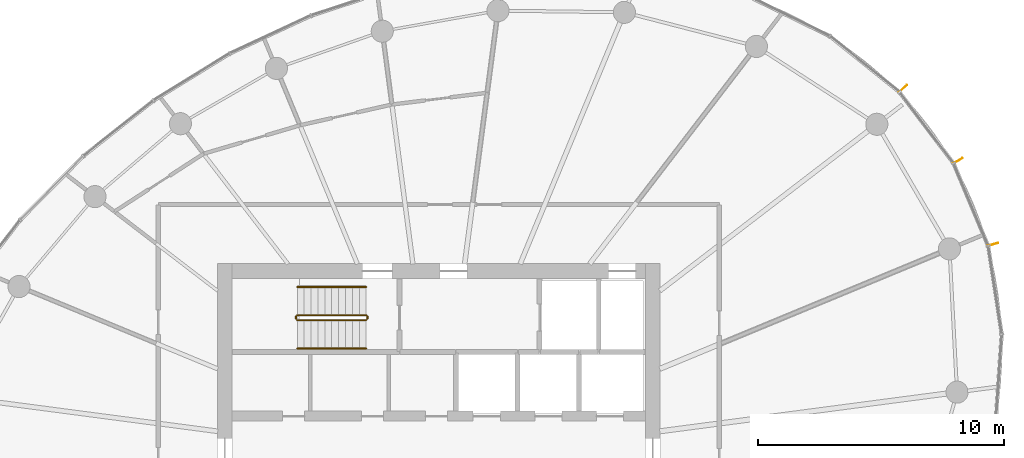
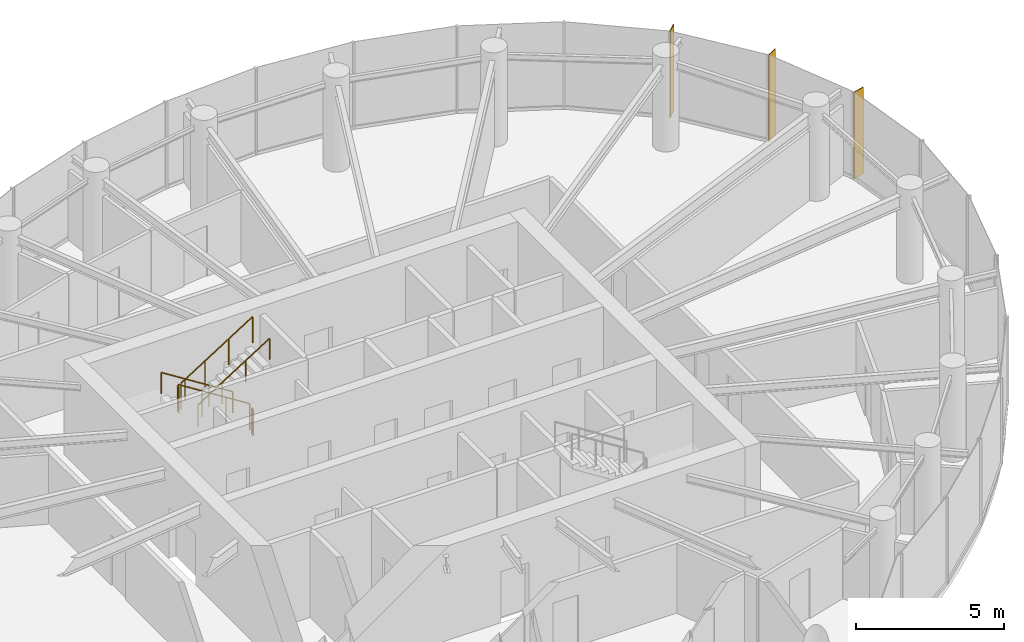
# One storey, part 14 of 14: 6 railings, 3 shading devices.
"""IFC4 building model written with IfcOpenShell, lengths in metres."""

import ifcopenshell
import ifcopenshell.guid

model = None  # the IFC model being written
_history = None  # IfcOwnerHistory: only IFC2X3 demands one
_inside = {}  # id of a spatial element -> (the spatial element, [elements in it])
_under = {}  # id of a project, library or spatial element -> (it, [spatial elements below it])
_declared = {}  # id of a project -> (the project, [libraries it declares])
_typed = {}  # id of a type object -> (the type object, [elements of that type])
_made_of = {}  # id of a material, layer set ... -> (it, [elements and type objects made of it])


def new_model(schema):
    """Start an empty IFC model of exactly this schema.

    Asked for "IFC4X3", IfcOpenShell would pick the latest addendum, in which some entities
    have other attributes; the version numbers below select the first issue.
    IFC2X3 requires an IfcOwnerHistory on every rooted entity: one is made here for all.
    """
    global model, _history
    if schema == "IFC4X3":
        model = ifcopenshell.file(schema_version=(4, 3, 0, 0))
    else:
        model = ifcopenshell.file(schema=schema)
    _inside.clear()
    _under.clear()
    _declared.clear()
    _typed.clear()
    _made_of.clear()
    _history = None
    if model.schema == "IFC2X3":
        org = make("IfcOrganization", Name="unknown")
        user = make(
            "IfcPersonAndOrganization",
            ThePerson=make("IfcPerson", FamilyName="unknown"),
            TheOrganization=org,
        )
        app = make(
            "IfcApplication",
            ApplicationDeveloper=org,
            Version="unknown",
            ApplicationFullName="unknown",
            ApplicationIdentifier="unknown",
        )
        _history = make(
            "IfcOwnerHistory",
            OwningUser=user,
            OwningApplication=app,
            ChangeAction="ADDED",
            CreationDate=0,
        )
    return model


def make(cls, **values):
    """One entity of the class cls with the attributes given. An attribute that is None is left unset."""
    return model.create_entity(
        cls, **{name: value for name, value in values.items() if value is not None}
    )


def rooted(cls, **values):
    """An entity with a GlobalId (a new one), such as an element, a storey or a relation."""
    return make(cls, GlobalId=ifcopenshell.guid.new(), OwnerHistory=_history, **values)


def si_unit(unit_type, name, prefix=None):
    """IfcSIUnit, for example si_unit("LENGTHUNIT", "METRE", prefix="MILLI")."""
    return make("IfcSIUnit", UnitType=unit_type, Prefix=prefix, Name=name)


def assignment(units):
    """IfcUnitAssignment: the units of a project."""
    return None if units is None else make("IfcUnitAssignment", Units=units)


def point(xyz):
    """IfcCartesianPoint."""
    return None if xyz is None else make("IfcCartesianPoint", Coordinates=xyz)


def direction(xyz):
    """IfcDirection."""
    return None if xyz is None else make("IfcDirection", DirectionRatios=xyz)


def frame(location, z_axis=None, x_axis=None):
    """IfcAxis2Placement3D, a coordinate frame: its origin and axes. An axis left out is left unset."""
    return make(
        "IfcAxis2Placement3D",
        Location=point(location),
        Axis=direction(z_axis),
        RefDirection=direction(x_axis),
    )


def frame_2d(location, x_axis=None):
    """IfcAxis2Placement2D, a coordinate frame in the plane: its origin and x axis."""
    return make(
        "IfcAxis2Placement2D", Location=point(location), RefDirection=direction(x_axis)
    )


def origin():
    """The frame at (0, 0, 0) with its axes left unset."""
    return frame((0.0, 0.0, 0.0))


def origin_2d():
    """The frame at (0, 0) in the plane with its x axis left unset."""
    return frame_2d((0.0, 0.0))


def place(relative_to, where):
    """IfcLocalPlacement: puts the frame where relative to a parent placement (None: the world)."""
    return make(
        "IfcLocalPlacement", PlacementRelTo=relative_to, RelativePlacement=where
    )


def context(
    kind, dimensions, precision=None, world=None, true_north=None, identifier=None
):
    """IfcGeometricRepresentationContext, for example the 3D "Model" context."""
    return make(
        "IfcGeometricRepresentationContext",
        ContextIdentifier=identifier,
        ContextType=kind,
        CoordinateSpaceDimension=dimensions,
        Precision=precision,
        WorldCoordinateSystem=world,
        TrueNorth=true_north,
    )


def subcontext(parent, identifier, kind, view, scale=None):
    """IfcGeometricRepresentationSubContext, for example "Body" below "Model"."""
    return make(
        "IfcGeometricRepresentationSubContext",
        ContextIdentifier=identifier,
        ContextType=kind,
        ParentContext=parent,
        TargetScale=scale,
        TargetView=view,
    )


def project(units=None, contexts=None):
    """IfcProject with its units and contexts."""
    return rooted(
        "IfcProject",
        Name="project",
        RepresentationContexts=contexts,
        UnitsInContext=assignment(units),
    )


def spatial(cls, under=None, at=None, **own):
    """A site, building, storey or space (cls), placed at a placement, below another one or the project."""
    s = rooted(cls, ObjectPlacement=at, **own)
    if under is not None:
        _under.setdefault(under.id(), (under, []))[1].append(s)
    return s


def profile(cls, at=None, kind="AREA", **sizes):
    """A parametric profile (cls). Its sizes go by their IFC names, for example OverallWidth=200.0."""
    return make(cls, ProfileType=kind, Position=at, **sizes)


def rectangle(**sizes):
    """IfcRectangleProfileDef."""
    return profile("IfcRectangleProfileDef", **sizes)


def circle(**sizes):
    """IfcCircleProfileDef."""
    return profile("IfcCircleProfileDef", **sizes)


def extrude(swept, where, along, depth):
    """IfcExtrudedAreaSolid: the profile swept, set in the frame where, extruded along a direction by depth."""
    return make(
        "IfcExtrudedAreaSolid",
        SweptArea=swept,
        Position=where,
        ExtrudedDirection=direction(along),
        Depth=depth,
    )


def shape(context_of_items, identifier, shape_type, items):
    """IfcShapeRepresentation: the items that make up one representation, for example the "Body"."""
    return make(
        "IfcShapeRepresentation",
        ContextOfItems=context_of_items,
        RepresentationIdentifier=identifier,
        RepresentationType=shape_type,
        Items=items,
    )


def source(mapping_origin, context_of_items, identifier, shape_type, items):
    """IfcRepresentationMap: a shape defined once, which mapped items show again and again."""
    return make(
        "IfcRepresentationMap",
        MappingOrigin=mapping_origin,
        MappedRepresentation=shape(context_of_items, identifier, shape_type, items),
    )


def transform(
    local_origin,
    x_axis=None,
    y_axis=None,
    z_axis=None,
    scale=None,
    scale2=None,
    scale3=None,
    uniform=True,
):
    """IfcCartesianTransformationOperator3D, or its non-uniform kind. x_axis, y_axis, z_axis: its Axis1, 2, 3."""
    if uniform:
        return make(
            "IfcCartesianTransformationOperator3D",
            Axis1=direction(x_axis),
            Axis2=direction(y_axis),
            LocalOrigin=point(local_origin),
            Scale=scale,
            Axis3=direction(z_axis),
        )
    return make(
        "IfcCartesianTransformationOperator3DnonUniform",
        Axis1=direction(x_axis),
        Axis2=direction(y_axis),
        LocalOrigin=point(local_origin),
        Scale=scale,
        Axis3=direction(z_axis),
        Scale2=scale2,
        Scale3=scale3,
    )


def mapped(mapping_source, mapping_target):
    """IfcMappedItem: shows the shape of a source again, moved by a transform."""
    return make(
        "IfcMappedItem", MappingSource=mapping_source, MappingTarget=mapping_target
    )


def material(Name=None, Category=None):
    """IfcMaterial."""
    return make("IfcMaterial", Name=Name, Category=Category)


def material_profile(
    of_material, cross_section, Name=None, Category=None, Priority=None
):
    """IfcMaterialProfile: a cross section and its material."""
    return make(
        "IfcMaterialProfile",
        Name=Name,
        Material=of_material,
        Profile=cross_section,
        Priority=Priority,
        Category=Category,
    )


def profile_set(profiles, Name=None, composite=None):
    """IfcMaterialProfileSet."""
    return make(
        "IfcMaterialProfileSet",
        Name=Name,
        MaterialProfiles=profiles,
        CompositeProfile=composite,
    )


def made_of(thing, what):
    """Note that an element or type object is made of a material, layer set ...; save() writes the relation."""
    if what is not None:
        _made_of.setdefault(what.id(), (what, []))[1].append(thing)
    return thing


def type_object(cls, material=None, **own):
    """A type object (cls), such as IfcWallType, which elements share."""
    return made_of(rooted(cls, **own), material)


def element(
    cls,
    number,
    at=None,
    inside=None,
    cuts=None,
    type_object=None,
    material=None,
    context=None,
    identifier="Body",
    shape_type=None,
    held_by="IfcProductDefinitionShape",
    body=None,
    shapes=None,
    **own,
):
    """One element of the class cls, such as IfcWall. Its Tag is "e" and its number.

    at: its placement. inside: the storey or other place that contains it. cuts: it is an
    opening in that element (IfcRelVoidsElement). A single representation is given by context,
    identifier, shape_type and body (its items); several are given by shapes. held_by: the class
    of the entity that holds the representations. save() writes the other relations.
    """
    e = rooted(cls, Tag="e%d" % number, ObjectPlacement=at, **own)
    if body is not None:
        shapes = [shape(context, identifier, shape_type, body)]
    if shapes is not None:
        e.Representation = make(held_by, Representations=shapes)
    if inside is not None:
        _inside.setdefault(inside.id(), (inside, []))[1].append(e)
    if cuts is not None:
        rooted(
            "IfcRelVoidsElement", RelatingBuildingElement=cuts, RelatedOpeningElement=e
        )
    if type_object is not None:
        _typed.setdefault(type_object.id(), (type_object, []))[1].append(e)
    return made_of(e, material)


def aggregate(whole, parts):
    """IfcRelAggregates: a whole, such as a stair, and the parts it consists of."""
    return rooted("IfcRelAggregates", RelatingObject=whole, RelatedObjects=parts)


def save(model, path):
    """Write the relations noted so far, then the file.

    IfcRelAggregates (storeys below a building ...), IfcRelContainedInSpatialStructure (elements
    in a storey), IfcRelDefinesByType, IfcRelAssociatesMaterial and IfcRelDeclares: one each for
    every whole, place, type object, material and project.
    """
    for whole, parts in _under.values():
        aggregate(whole, parts)
    for where, things in _inside.values():
        rooted(
            "IfcRelContainedInSpatialStructure",
            RelatedElements=things,
            RelatingStructure=where,
        )
    for kind, things in _typed.values():
        rooted("IfcRelDefinesByType", RelatedObjects=things, RelatingType=kind)
    for what, things in _made_of.values():
        rooted("IfcRelAssociatesMaterial", RelatedObjects=things, RelatingMaterial=what)
    for by, libraries in _declared.values():
        rooted("IfcRelDeclares", RelatingContext=by, RelatedDefinitions=libraries)
    model.write(path)


model = new_model("IFC4")

# Units and contexts
model_context = context("Model", 3, precision=1e-05, world=origin(), true_north=direction((0.0, 1.0)))
body_context = subcontext(model_context, "Body", "Model", "MODEL_VIEW")
ifc_project = project(units=[si_unit("LENGTHUNIT", "METRE"), si_unit("AREAUNIT", "SQUARE_METRE"), si_unit("VOLUMEUNIT", "CUBIC_METRE"), si_unit("PLANEANGLEUNIT", "RADIAN"), si_unit("MASSUNIT", "GRAM", prefix="KILO")], contexts=[model_context])

# Site, building, storey
site_placement = place(None, origin())
site = spatial("IfcSite", under=ifc_project, at=site_placement, CompositionType="ELEMENT")
building_placement = place(site_placement, origin())
building = spatial("IfcBuilding", under=site, at=building_placement, Name="Spindrift Exchange Tower", CompositionType="ELEMENT")
storey_placement = place(building_placement, frame((0.0, 0.0, 215.0)))
storey = spatial("IfcBuildingStorey", under=building, at=storey_placement, Name="L52", CompositionType="ELEMENT", Elevation=215.0)

# Railings
ifc_material_1 = material(Name="Steel balustrade", Category="steel")
railing_type_1 = type_object("IfcRailingType", Name="RL-STAIR-GUARD", PredefinedType="GUARDRAIL", material=ifc_material_1)
railing_1_placement = place(storey_placement, frame((49.050048828125, 53.89990234375, 0.17724609375)))
element("IfcRailing", 1, at=railing_1_placement, inside=storey, type_object=railing_type_1, Name="L52 ST1 stair guard 1", PredefinedType="GUARDRAIL", context=body_context, shape_type="SweptSolid", body=[
    extrude(circle(Radius=0.02392578125, at=origin_2d()), frame((0.0, 0.0, 1.076171875), z_axis=(-0.844908973607, 0.0, 0.534910110503), x_axis=(0.0, -1.0, 0.0)), (0.0, 0.0, 1.0), 3.31396484375),
    extrude(circle(Radius=0.02099609375, at=origin_2d()), origin(), (0.0, 0.0, 1.0), 1.052001953125),
    extrude(circle(Radius=0.02099609375, at=origin_2d()), frame((-0.933349609375, 0.0, 0.5908203125)), (0.0, 0.0, 1.0), 1.052001953125),
    extrude(circle(Radius=0.02099609375, at=origin_2d()), frame((-1.86669921875, 0.0, 1.181884765625)), (0.0, 0.0, 1.0), 1.052001953125),
    extrude(circle(Radius=0.02099609375, at=origin_2d()), frame((-2.800048828125, 0.0, 1.772705078125)), (0.0, 0.0, 1.0), 1.052001953125),
])
railing_2_placement = place(storey_placement, frame((46.199951171875, 53.85009765625, 1.949951171875)))
element("IfcRailing", 2, at=railing_2_placement, inside=storey, type_object=railing_type_1, Name="L52 ST1 stair guard 2", PredefinedType="GUARDRAIL", context=body_context, shape_type="SweptSolid", body=[
    extrude(circle(Radius=0.02392578125, at=origin_2d()), frame((0.0, 0.0, 1.076171875), z_axis=(0.0, -1.0, 0.0), x_axis=(1.0, 0.0, 0.0)), (0.0, 0.0, 1.0), 0.10009765625),
    extrude(circle(Radius=0.02099609375, at=origin_2d()), origin(), (0.0, 0.0, 1.0), 1.052001953125),
    extrude(circle(Radius=0.02099609375, at=origin_2d()), frame((0.0, -0.10009765625, 0.0)), (0.0, 0.0, 1.0), 1.052001953125),
])
railing_3_placement = place(storey_placement, frame((46.25, 53.699951171875, 2.127197265625)))
element("IfcRailing", 3, at=railing_3_placement, inside=storey, type_object=railing_type_1, Name="L52 ST1 stair guard 3", PredefinedType="GUARDRAIL", context=body_context, shape_type="SweptSolid", body=[
    extrude(circle(Radius=0.02392578125, at=origin_2d()), frame((0.0, 0.0, 1.076171875), z_axis=(0.844908973607, 0.0, 0.534910110503), x_axis=(0.0, 1.0, 0.0)), (0.0, 0.0, 1.0), 3.31396484375),
    extrude(circle(Radius=0.02099609375, at=origin_2d()), origin(), (0.0, 0.0, 1.0), 1.052001953125),
    extrude(circle(Radius=0.02099609375, at=origin_2d()), frame((0.933349609375, 0.0, 0.5908203125)), (0.0, 0.0, 1.0), 1.052001953125),
    extrude(circle(Radius=0.02099609375, at=origin_2d()), frame((1.86669921875, 0.0, 1.181884765625)), (0.0, 0.0, 1.0), 1.052001953125),
    extrude(circle(Radius=0.02099609375, at=origin_2d()), frame((2.800048828125, 0.0, 1.772705078125)), (0.0, 0.0, 1.0), 1.052001953125),
])
railing_4_placement = place(storey_placement, frame((49.10009765625, 53.85009765625, 0.0)))
element("IfcRailing", 4, at=railing_4_placement, inside=storey, type_object=railing_type_1, Name="L52 ST1 stair guard 4", PredefinedType="GUARDRAIL", context=body_context, shape_type="SweptSolid", body=[
    extrude(circle(Radius=0.02392578125, at=origin_2d()), frame((0.0, 0.0, 1.076171875), z_axis=(0.0, -1.0, 0.0), x_axis=(1.0, 0.0, 0.0)), (0.0, 0.0, 1.0), 0.10009765625),
    extrude(circle(Radius=0.02099609375, at=origin_2d()), origin(), (0.0, 0.0, 1.0), 1.052001953125),
    extrude(circle(Radius=0.02099609375, at=origin_2d()), frame((0.0, -0.10009765625, 0.0)), (0.0, 0.0, 1.0), 1.052001953125),
])
ifc_material_2 = material(Name="Steel tubular handrail", Category="steel")
railing_type_2 = type_object("IfcRailingType", Name="RL-STAIR-HAND", PredefinedType="HANDRAIL", material=ifc_material_2)
railing_5_placement = place(storey_placement, frame((49.050048828125, 55.050048828125, 0.17724609375)))
element("IfcRailing", 5, at=railing_5_placement, inside=storey, type_object=railing_type_2, Name="L52 ST1 stair handrail 1", PredefinedType="HANDRAIL", context=body_context, shape_type="SweptSolid", body=[
    extrude(circle(Radius=0.02392578125, at=origin_2d()), frame((0.0, 0.0, 0.8759765625), z_axis=(-0.844908973607, 0.0, 0.534910110503), x_axis=(0.0, -1.0, 0.0)), (0.0, 0.0, 1.0), 3.31396484375),
    extrude(circle(Radius=0.02099609375, at=origin_2d()), origin(), (0.0, 0.0, 1.0), 0.851806640625),
    extrude(circle(Radius=0.02099609375, at=origin_2d()), frame((-0.933349609375, 0.0, 0.5908203125)), (0.0, 0.0, 1.0), 0.851806640625),
    extrude(circle(Radius=0.02099609375, at=origin_2d()), frame((-1.86669921875, 0.0, 1.181884765625)), (0.0, 0.0, 1.0), 0.851806640625),
    extrude(circle(Radius=0.02099609375, at=origin_2d()), frame((-2.800048828125, 0.0, 1.772705078125)), (0.0, 0.0, 1.0), 0.851806640625),
])
railing_6_placement = place(storey_placement, frame((46.25, 52.550048828125, 2.127197265625)))
element("IfcRailing", 6, at=railing_6_placement, inside=storey, type_object=railing_type_2, Name="L52 ST1 stair handrail 2", PredefinedType="HANDRAIL", context=body_context, shape_type="SweptSolid", body=[
    extrude(circle(Radius=0.02392578125, at=origin_2d()), frame((0.0, 0.0, 0.8759765625), z_axis=(0.844908973607, 0.0, 0.534910110503), x_axis=(0.0, 1.0, 0.0)), (0.0, 0.0, 1.0), 3.31396484375),
    extrude(circle(Radius=0.02099609375, at=origin_2d()), origin(), (0.0, 0.0, 1.0), 0.851806640625),
    extrude(circle(Radius=0.02099609375, at=origin_2d()), frame((0.933349609375, 0.0, 0.5908203125)), (0.0, 0.0, 1.0), 0.851806640625),
    extrude(circle(Radius=0.02099609375, at=origin_2d()), frame((1.86669921875, 0.0, 1.181884765625)), (0.0, 0.0, 1.0), 0.851806640625),
    extrude(circle(Radius=0.02099609375, at=origin_2d()), frame((2.800048828125, 0.0, 1.772705078125)), (0.0, 0.0, 1.0), 0.851806640625),
])

# Shading devices
ifc_material_3 = material(Name="Bronze anodised aluminium", Category="aluminium")
ifc_material_profile = material_profile(ifc_material_3, rectangle(XDim=0.030029296875, YDim=0.449951171875, at=origin_2d()), Name="WIND FIN 30X450")
ifc_profile_set = profile_set([ifc_material_profile], Name="Bronze anodised aluminium")
shading_device_type = type_object("IfcShadingDeviceType", Name="WIND FIN 30X450", PredefinedType="USERDEFINED", material=ifc_profile_set)
shared_shape = source(origin(), body_context, "Body", "SweptSolid", [
    extrude(rectangle(XDim=0.030029296875, YDim=0.449951171875, at=origin_2d()), origin(), (0.0, 0.0, 1.0), 3.580078125),
])
for number, where, z_axis, x_axis, name in (
    (7, (73.094482421875, 60.174072265625, 0.0), (0.0, 0.0, 1.0), (-0.499845819132, 0.866114401853, 0.0), "L52 wind fin 2"),
    (8, (70.865234375, 63.1064453125, 0.0), (0.0, 0.0, 1.0), (-0.697676684412, 0.716412760933, 0.0), "L52 wind fin 3"),
    (9, (74.518310546875, 56.776611328125, 0.0), (0.0, 0.0, 1.0), (-0.271259026506, 0.962506384674, 0.0), "L52 wind fin 4"),
):
    element("IfcShadingDevice", number, at=place(storey_placement, frame(where, z_axis=z_axis, x_axis=x_axis)), inside=storey, type_object=shading_device_type, Name=name, ObjectType="FIN", PredefinedType="USERDEFINED", context=body_context, shape_type="MappedRepresentation", body=[
        mapped(shared_shape, transform((0.0, 0.0, 0.0), scale=1.0)),
    ])

save(model, "model.ifc")
